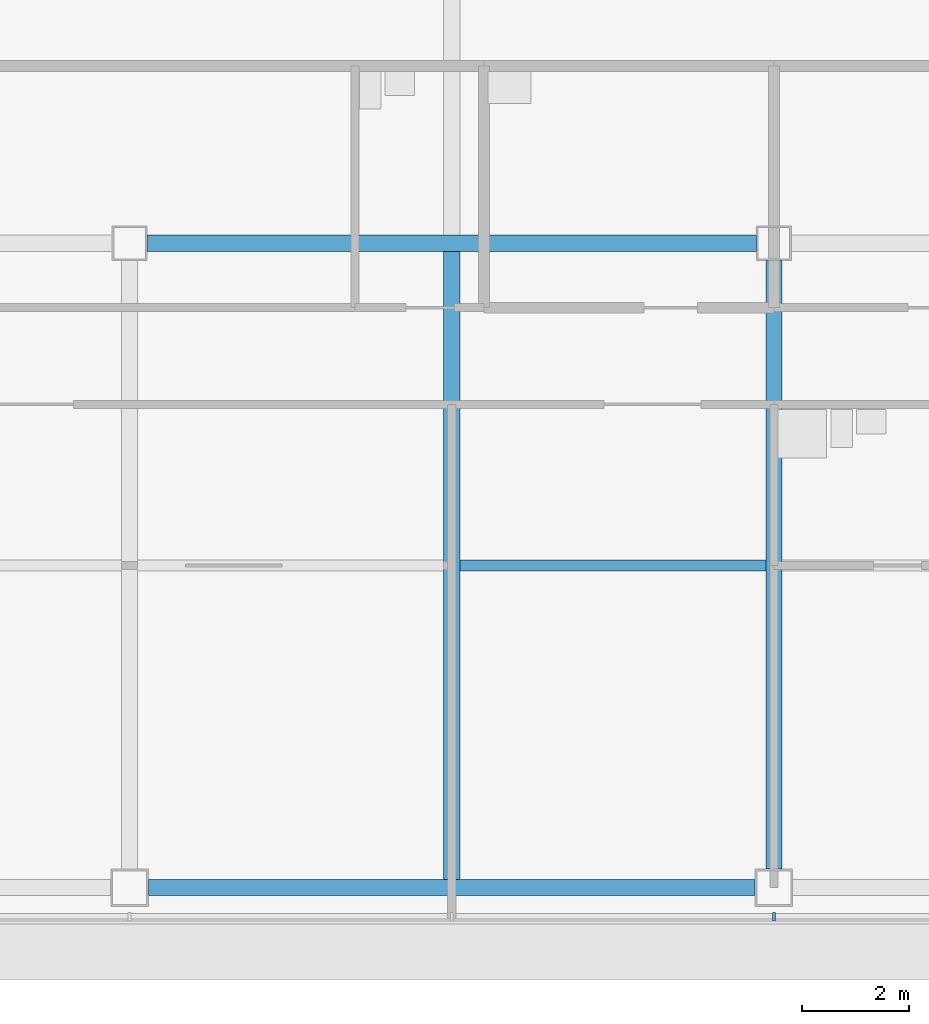
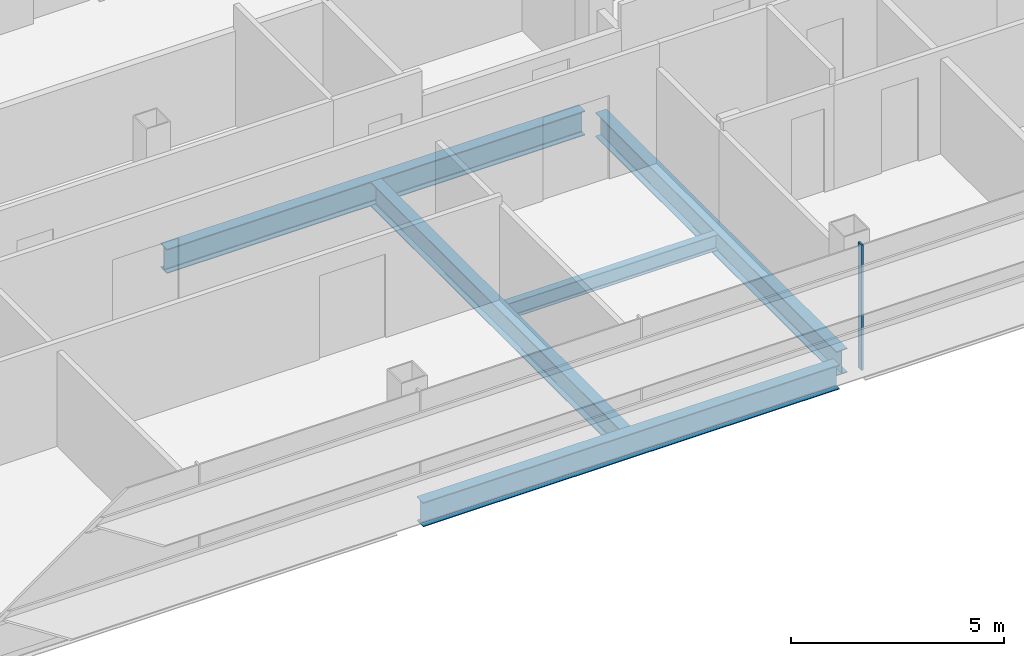
# One storey, part 3 of 24: 5 beams, 1 member, 1 element without a shape of its own.
"""IFC4 building model written with IfcOpenShell, lengths in metres."""

from ifc_helpers import new_model, si_unit, direction, frame, origin, origin_2d, place, context, subcontext, project, spatial, rectangle, i_section, extrude, material, material_profile, profile_set, type_object, element, aggregate, save


model = new_model("IFC4")

# Units and contexts
model_context = context("Model", 3, precision=1e-05, world=origin(), true_north=direction((0.0, 1.0)))
body_context = subcontext(model_context, "Body", "Model", "MODEL_VIEW")
ifc_project = project(units=[si_unit("LENGTHUNIT", "METRE"), si_unit("AREAUNIT", "SQUARE_METRE"), si_unit("VOLUMEUNIT", "CUBIC_METRE"), si_unit("PLANEANGLEUNIT", "RADIAN"), si_unit("MASSUNIT", "GRAM", prefix="KILO")], contexts=[model_context])

# Site, building, storey
site_placement = place(None, origin())
site = spatial("IfcSite", under=ifc_project, at=site_placement, CompositionType="ELEMENT")
building_placement = place(site_placement, origin())
building = spatial("IfcBuilding", under=site, at=building_placement, Name="Sorahane Residences", CompositionType="ELEMENT")
storey_placement = place(building_placement, frame((0.0, 0.0, 174.39990234375)))
storey = spatial("IfcBuildingStorey", under=building, at=storey_placement, Name="L40", CompositionType="ELEMENT", Elevation=174.39990234375)

# Curtain wall, member
ifc_material_1 = material(Name="Dark low-e glass and black anodised aluminium", Category="aluminium")
curtain_wall_type = type_object("IfcCurtainWallType", Name="Curtain wall CW-1 Typical unitised wall", PredefinedType="NOTDEFINED", material=ifc_material_1)
curtain_wall_placement = place(storey_placement, origin())
curtain_wall = element("IfcCurtainWall", 1, at=curtain_wall_placement, inside=storey, type_object=curtain_wall_type, Name="CW-1 curtain wall L40 S1", PredefinedType="NOTDEFINED")
ifc_material_2 = material(Name="Black anodised aluminium", Category="aluminium")
ifc_material_profile_1 = material_profile(ifc_material_2, rectangle(XDim=0.159912109375, YDim=0.050048828125, at=origin_2d()), Name="Curtain wall mullion CW-1 black anodised aluminium 50x160")
ifc_profile_set_1 = profile_set([ifc_material_profile_1], Name="Black anodised aluminium")
member_type = type_object("IfcMemberType", Name="Curtain wall mullion CW-1 black anodised aluminium 50x160", PredefinedType="MULLION", material=ifc_profile_set_1)
member_placement = place(storey_placement, frame((24.0, -0.5400390625, -0.179931640625), z_axis=(0.0, 0.0, 1.0), x_axis=(0.0, -1.0, 0.0)))
member = element("IfcMember", 2, at=member_placement, type_object=member_type, Name="CW-1 mullion L40 S1.5", PredefinedType="MULLION", context=body_context, shape_type="SweptSolid", body=[
    extrude(rectangle(XDim=0.159912109375, YDim=0.050048828125, at=origin_2d()), origin(), (0.0, 0.0, 1.0), 3.60009765625),
])
aggregate(curtain_wall, [member])

# Beams
ifc_material_3 = material(Name="Steel Q355B", Category="steel")
ifc_material_profile_2 = material_profile(ifc_material_3, i_section(OverallWidth=0.199951171875, OverallDepth=0.449951171875, WebThickness=0.009033203125, FlangeThickness=0.013916015625, FilletRadius=0.02001953125, at=origin_2d()), Name="HN 450x200x9x14")
ifc_profile_set_2 = profile_set([ifc_material_profile_2], Name="Steel Q355B")
beam_type_1 = type_object("IfcBeamType", Name="Steel floor beam HN 450x200x9x14 Q355B", PredefinedType="BEAM", material=ifc_profile_set_2)
beam_1_placement = place(storey_placement, frame((18.14990234375, 6.0, -0.40478515625), z_axis=(1.0, 0.0, 0.0), x_axis=(0.0, 1.0, 0.0)))
element("IfcBeam", 3, at=beam_1_placement, inside=storey, type_object=beam_type_1, Name="Beam L40 072", PredefinedType="BEAM", context=body_context, shape_type="SweptSolid", body=[
    extrude(i_section(OverallWidth=0.199951171875, OverallDepth=0.449951171875, WebThickness=0.009033203125, FlangeThickness=0.013916015625, FilletRadius=0.02001953125, at=origin_2d()), origin(), (0.0, 0.0, 1.0), 5.7001953125),
])
ifc_material_4 = material(Name="Steel Q355B", Category="steel")
ifc_material_profile_3 = material_profile(ifc_material_4, i_section(OverallWidth=0.300048828125, OverallDepth=0.699951171875, WebThickness=0.012939453125, FlangeThickness=0.02392578125, FilletRadius=0.028076171875, at=origin_2d()), Name="HN 700x300x13x24")
ifc_profile_set_3 = profile_set([ifc_material_profile_3], Name="Steel Q355B")
beam_type_2 = type_object("IfcBeamType", Name="Steel floor beam HN 700x300x13x24 Q355B", PredefinedType="BEAM", material=ifc_profile_set_3)
beam_2_placement = place(storey_placement, frame((12.35009765625, 0.0, -0.52978515625), z_axis=(1.0, 0.0, 0.0), x_axis=(0.0, 1.0, 0.0)))
element("IfcBeam", 4, at=beam_2_placement, inside=storey, type_object=beam_type_2, Name="Beam L40 001", PredefinedType="BEAM", context=body_context, shape_type="SweptSolid", body=[
    extrude(i_section(OverallWidth=0.300048828125, OverallDepth=0.699951171875, WebThickness=0.012939453125, FlangeThickness=0.02392578125, FilletRadius=0.028076171875, at=origin_2d()), origin(), (0.0, 0.0, 1.0), 11.2998046875),
])
beam_3_placement = place(storey_placement, frame((12.324951171875, 12.0, -0.52978515625), z_axis=(1.0, 0.0, 0.0), x_axis=(0.0, 1.0, 0.0)))
element("IfcBeam", 5, at=beam_3_placement, inside=storey, type_object=beam_type_2, Name="Beam L40 007", PredefinedType="BEAM", context=body_context, shape_type="SweptSolid", body=[
    extrude(i_section(OverallWidth=0.300048828125, OverallDepth=0.699951171875, WebThickness=0.012939453125, FlangeThickness=0.02392578125, FilletRadius=0.028076171875, at=origin_2d()), origin(), (0.0, 0.0, 1.0), 11.35009765625),
])
beam_4_placement = place(storey_placement, frame((18.0, 0.14990234375, -0.52978515625), z_axis=(0.0, 1.0, 0.0), x_axis=(-1.0, 0.0, 0.0)))
element("IfcBeam", 6, at=beam_4_placement, inside=storey, type_object=beam_type_2, Name="Beam L40 036", PredefinedType="BEAM", context=body_context, shape_type="SweptSolid", body=[
    extrude(i_section(OverallWidth=0.300048828125, OverallDepth=0.699951171875, WebThickness=0.012939453125, FlangeThickness=0.02392578125, FilletRadius=0.028076171875, at=origin_2d()), origin(), (0.0, 0.0, 1.0), 11.7001953125),
])
beam_5_placement = place(storey_placement, frame((24.0, 0.35009765625, -0.52978515625), z_axis=(0.0, 1.0, 0.0), x_axis=(-1.0, 0.0, 0.0)))
element("IfcBeam", 7, at=beam_5_placement, inside=storey, type_object=beam_type_2, Name="Beam L40 042", PredefinedType="BEAM", context=body_context, shape_type="SweptSolid", body=[
    extrude(i_section(OverallWidth=0.300048828125, OverallDepth=0.699951171875, WebThickness=0.012939453125, FlangeThickness=0.02392578125, FilletRadius=0.028076171875, at=origin_2d()), origin(), (0.0, 0.0, 1.0), 11.324951171875),
])

save(model, "model.ifc")
